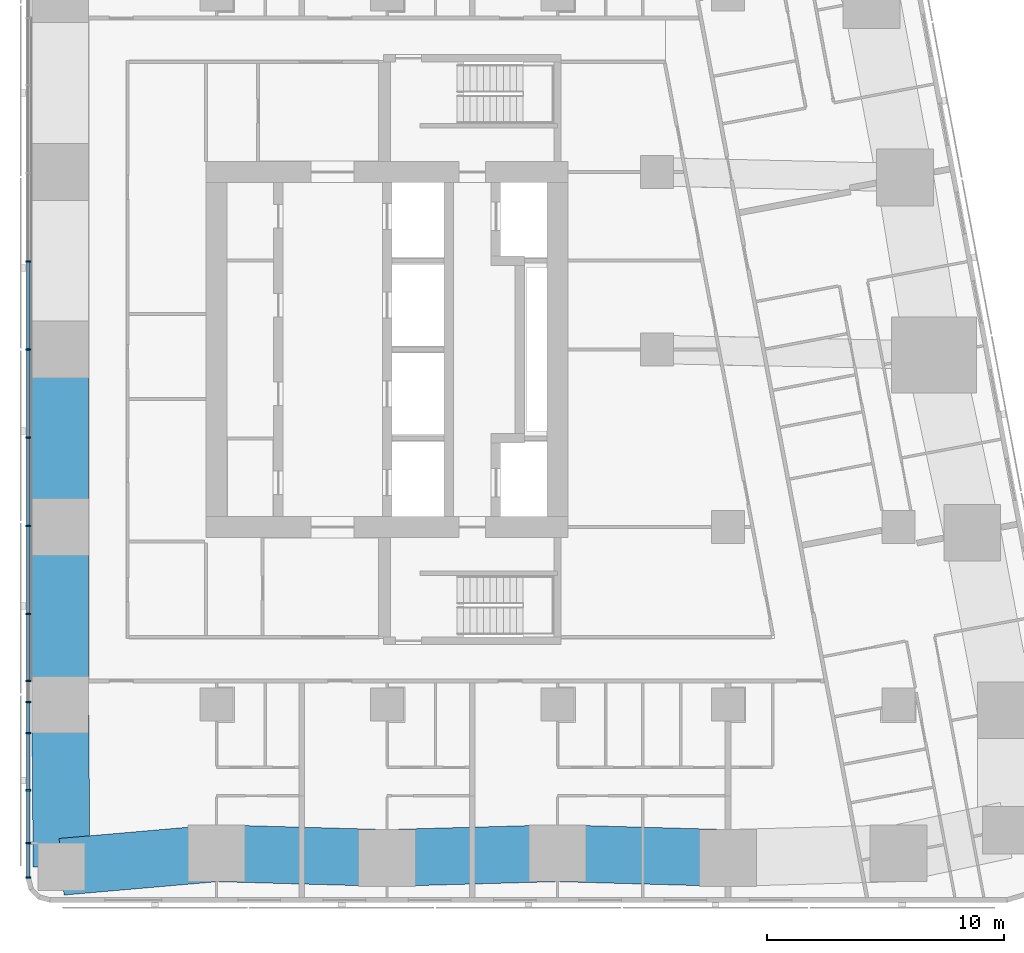
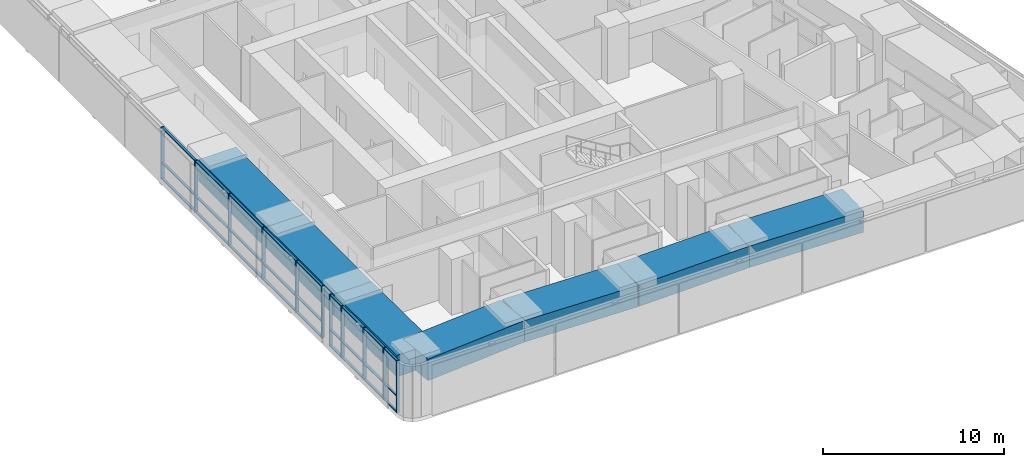
# One storey, part 2 of 17: 38 members, 7 beams, 1 element without a shape of its own.
"""IFC4 building model written with IfcOpenShell, lengths in metres."""

import ifcopenshell
import ifcopenshell.guid

model = None  # the IFC model being written
_history = None  # IfcOwnerHistory: only IFC2X3 demands one
_inside = {}  # id of a spatial element -> (the spatial element, [elements in it])
_under = {}  # id of a project, library or spatial element -> (it, [spatial elements below it])
_declared = {}  # id of a project -> (the project, [libraries it declares])
_typed = {}  # id of a type object -> (the type object, [elements of that type])
_made_of = {}  # id of a material, layer set ... -> (it, [elements and type objects made of it])


def new_model(schema):
    """Start an empty IFC model of exactly this schema.

    Asked for "IFC4X3", IfcOpenShell would pick the latest addendum, in which some entities
    have other attributes; the version numbers below select the first issue.
    IFC2X3 requires an IfcOwnerHistory on every rooted entity: one is made here for all.
    """
    global model, _history
    if schema == "IFC4X3":
        model = ifcopenshell.file(schema_version=(4, 3, 0, 0))
    else:
        model = ifcopenshell.file(schema=schema)
    _inside.clear()
    _under.clear()
    _declared.clear()
    _typed.clear()
    _made_of.clear()
    _history = None
    if model.schema == "IFC2X3":
        org = make("IfcOrganization", Name="unknown")
        user = make(
            "IfcPersonAndOrganization",
            ThePerson=make("IfcPerson", FamilyName="unknown"),
            TheOrganization=org,
        )
        app = make(
            "IfcApplication",
            ApplicationDeveloper=org,
            Version="unknown",
            ApplicationFullName="unknown",
            ApplicationIdentifier="unknown",
        )
        _history = make(
            "IfcOwnerHistory",
            OwningUser=user,
            OwningApplication=app,
            ChangeAction="ADDED",
            CreationDate=0,
        )
    return model


def make(cls, **values):
    """One entity of the class cls with the attributes given. An attribute that is None is left unset."""
    return model.create_entity(
        cls, **{name: value for name, value in values.items() if value is not None}
    )


def rooted(cls, **values):
    """An entity with a GlobalId (a new one), such as an element, a storey or a relation."""
    return make(cls, GlobalId=ifcopenshell.guid.new(), OwnerHistory=_history, **values)


def si_unit(unit_type, name, prefix=None):
    """IfcSIUnit, for example si_unit("LENGTHUNIT", "METRE", prefix="MILLI")."""
    return make("IfcSIUnit", UnitType=unit_type, Prefix=prefix, Name=name)


def assignment(units):
    """IfcUnitAssignment: the units of a project."""
    return None if units is None else make("IfcUnitAssignment", Units=units)


def point(xyz):
    """IfcCartesianPoint."""
    return None if xyz is None else make("IfcCartesianPoint", Coordinates=xyz)


def direction(xyz):
    """IfcDirection."""
    return None if xyz is None else make("IfcDirection", DirectionRatios=xyz)


def frame(location, z_axis=None, x_axis=None):
    """IfcAxis2Placement3D, a coordinate frame: its origin and axes. An axis left out is left unset."""
    return make(
        "IfcAxis2Placement3D",
        Location=point(location),
        Axis=direction(z_axis),
        RefDirection=direction(x_axis),
    )


def frame_2d(location, x_axis=None):
    """IfcAxis2Placement2D, a coordinate frame in the plane: its origin and x axis."""
    return make(
        "IfcAxis2Placement2D", Location=point(location), RefDirection=direction(x_axis)
    )


def origin():
    """The frame at (0, 0, 0) with its axes left unset."""
    return frame((0.0, 0.0, 0.0))


def origin_2d():
    """The frame at (0, 0) in the plane with its x axis left unset."""
    return frame_2d((0.0, 0.0))


def place(relative_to, where):
    """IfcLocalPlacement: puts the frame where relative to a parent placement (None: the world)."""
    return make(
        "IfcLocalPlacement", PlacementRelTo=relative_to, RelativePlacement=where
    )


def context(
    kind, dimensions, precision=None, world=None, true_north=None, identifier=None
):
    """IfcGeometricRepresentationContext, for example the 3D "Model" context."""
    return make(
        "IfcGeometricRepresentationContext",
        ContextIdentifier=identifier,
        ContextType=kind,
        CoordinateSpaceDimension=dimensions,
        Precision=precision,
        WorldCoordinateSystem=world,
        TrueNorth=true_north,
    )


def subcontext(parent, identifier, kind, view, scale=None):
    """IfcGeometricRepresentationSubContext, for example "Body" below "Model"."""
    return make(
        "IfcGeometricRepresentationSubContext",
        ContextIdentifier=identifier,
        ContextType=kind,
        ParentContext=parent,
        TargetScale=scale,
        TargetView=view,
    )


def project(units=None, contexts=None):
    """IfcProject with its units and contexts."""
    return rooted(
        "IfcProject",
        Name="project",
        RepresentationContexts=contexts,
        UnitsInContext=assignment(units),
    )


def spatial(cls, under=None, at=None, **own):
    """A site, building, storey or space (cls), placed at a placement, below another one or the project."""
    s = rooted(cls, ObjectPlacement=at, **own)
    if under is not None:
        _under.setdefault(under.id(), (under, []))[1].append(s)
    return s


def profile(cls, at=None, kind="AREA", **sizes):
    """A parametric profile (cls). Its sizes go by their IFC names, for example OverallWidth=200.0."""
    return make(cls, ProfileType=kind, Position=at, **sizes)


def rectangle(**sizes):
    """IfcRectangleProfileDef."""
    return profile("IfcRectangleProfileDef", **sizes)


def extrude(swept, where, along, depth):
    """IfcExtrudedAreaSolid: the profile swept, set in the frame where, extruded along a direction by depth."""
    return make(
        "IfcExtrudedAreaSolid",
        SweptArea=swept,
        Position=where,
        ExtrudedDirection=direction(along),
        Depth=depth,
    )


def shape(context_of_items, identifier, shape_type, items):
    """IfcShapeRepresentation: the items that make up one representation, for example the "Body"."""
    return make(
        "IfcShapeRepresentation",
        ContextOfItems=context_of_items,
        RepresentationIdentifier=identifier,
        RepresentationType=shape_type,
        Items=items,
    )


def material(Name=None, Category=None):
    """IfcMaterial."""
    return make("IfcMaterial", Name=Name, Category=Category)


def material_profile(
    of_material, cross_section, Name=None, Category=None, Priority=None
):
    """IfcMaterialProfile: a cross section and its material."""
    return make(
        "IfcMaterialProfile",
        Name=Name,
        Material=of_material,
        Profile=cross_section,
        Priority=Priority,
        Category=Category,
    )


def profile_set(profiles, Name=None, composite=None):
    """IfcMaterialProfileSet."""
    return make(
        "IfcMaterialProfileSet",
        Name=Name,
        MaterialProfiles=profiles,
        CompositeProfile=composite,
    )


def made_of(thing, what):
    """Note that an element or type object is made of a material, layer set ...; save() writes the relation."""
    if what is not None:
        _made_of.setdefault(what.id(), (what, []))[1].append(thing)
    return thing


def type_object(cls, material=None, **own):
    """A type object (cls), such as IfcWallType, which elements share."""
    return made_of(rooted(cls, **own), material)


def element(
    cls,
    number,
    at=None,
    inside=None,
    cuts=None,
    type_object=None,
    material=None,
    context=None,
    identifier="Body",
    shape_type=None,
    held_by="IfcProductDefinitionShape",
    body=None,
    shapes=None,
    **own,
):
    """One element of the class cls, such as IfcWall. Its Tag is "e" and its number.

    at: its placement. inside: the storey or other place that contains it. cuts: it is an
    opening in that element (IfcRelVoidsElement). A single representation is given by context,
    identifier, shape_type and body (its items); several are given by shapes. held_by: the class
    of the entity that holds the representations. save() writes the other relations.
    """
    e = rooted(cls, Tag="e%d" % number, ObjectPlacement=at, **own)
    if body is not None:
        shapes = [shape(context, identifier, shape_type, body)]
    if shapes is not None:
        e.Representation = make(held_by, Representations=shapes)
    if inside is not None:
        _inside.setdefault(inside.id(), (inside, []))[1].append(e)
    if cuts is not None:
        rooted(
            "IfcRelVoidsElement", RelatingBuildingElement=cuts, RelatedOpeningElement=e
        )
    if type_object is not None:
        _typed.setdefault(type_object.id(), (type_object, []))[1].append(e)
    return made_of(e, material)


def aggregate(whole, parts):
    """IfcRelAggregates: a whole, such as a stair, and the parts it consists of."""
    return rooted("IfcRelAggregates", RelatingObject=whole, RelatedObjects=parts)


def save(model, path):
    """Write the relations noted so far, then the file.

    IfcRelAggregates (storeys below a building ...), IfcRelContainedInSpatialStructure (elements
    in a storey), IfcRelDefinesByType, IfcRelAssociatesMaterial and IfcRelDeclares: one each for
    every whole, place, type object, material and project.
    """
    for whole, parts in _under.values():
        aggregate(whole, parts)
    for where, things in _inside.values():
        rooted(
            "IfcRelContainedInSpatialStructure",
            RelatedElements=things,
            RelatingStructure=where,
        )
    for kind, things in _typed.values():
        rooted("IfcRelDefinesByType", RelatedObjects=things, RelatingType=kind)
    for what, things in _made_of.values():
        rooted("IfcRelAssociatesMaterial", RelatedObjects=things, RelatingMaterial=what)
    for by, libraries in _declared.values():
        rooted("IfcRelDeclares", RelatingContext=by, RelatedDefinitions=libraries)
    model.write(path)


model = new_model("IFC4")

# Units and contexts
model_context = context("Model", 3, precision=1e-05, world=origin(), true_north=direction((0.0, 1.0)))
body_context = subcontext(model_context, "Body", "Model", "MODEL_VIEW")
ifc_project = project(units=[si_unit("LENGTHUNIT", "METRE"), si_unit("AREAUNIT", "SQUARE_METRE"), si_unit("VOLUMEUNIT", "CUBIC_METRE"), si_unit("PLANEANGLEUNIT", "RADIAN"), si_unit("MASSUNIT", "GRAM", prefix="KILO")], contexts=[model_context])

# Site, building, storey
site_placement = place(None, origin())
site = spatial("IfcSite", under=ifc_project, at=site_placement, CompositionType="ELEMENT")
building_placement = place(site_placement, origin())
building = spatial("IfcBuilding", under=site, at=building_placement, Name="Sheger Commons Tower", CompositionType="ELEMENT")
storey_placement = place(building_placement, frame((0.0, 0.0, 204.949951171875)))
storey = spatial("IfcBuildingStorey", under=building, at=storey_placement, Name="L52", CompositionType="ELEMENT", Elevation=204.949951171875)

# Curtain wall, members
ifc_material_1 = material(Name="Black aluminium curtain wall, dark tinted glazing", Category="aluminium")
curtain_wall_type = type_object("IfcCurtainWallType", Name="CURTAIN WALL CW4 GALLERY", PredefinedType="USERDEFINED", material=ifc_material_1)
curtain_wall_placement = place(storey_placement, origin())
curtain_wall = element("IfcCurtainWall", 1, at=curtain_wall_placement, inside=storey, type_object=curtain_wall_type, Name="Curtain Wall Cw4 Gallery W1 L52", ObjectType="UNITISED CURTAIN WALL", PredefinedType="USERDEFINED")
ifc_material_2 = material(Name="Black anodised aluminium", Category="aluminium")
ifc_material_profile_1 = material_profile(ifc_material_2, rectangle(XDim=0.199951171875, YDim=0.06494140625, at=origin_2d()), Name="AL 65x200")
ifc_profile_set_1 = profile_set([ifc_material_profile_1], Name="Black anodised aluminium")
member_type_1 = type_object("IfcMemberType", Name="MULLION AL 65x200", PredefinedType="MULLION", material=ifc_profile_set_1)
member_1_placement = place(storey_placement, frame((6.449951171875, 26.222900390625, 0.0), z_axis=(0.0, 0.0, 1.0), x_axis=(1.0, 0.0, 0.0)))
member_1 = element("IfcMember", 2, at=member_1_placement, type_object=member_type_1, Name="CW4 mullion 9", PredefinedType="MULLION", context=body_context, shape_type="SweptSolid", body=[
    extrude(rectangle(XDim=0.199951171875, YDim=0.06494140625, at=origin_2d()), origin(), (0.0, 0.0, 1.0), 3.5),
])
member_2_placement = place(storey_placement, frame((6.449951171875, 22.5, 0.0), z_axis=(0.0, 0.0, 1.0), x_axis=(1.0, 0.0, 0.0)))
member_2 = element("IfcMember", 3, at=member_2_placement, type_object=member_type_1, Name="CW4 mullion 10", PredefinedType="MULLION", context=body_context, shape_type="SweptSolid", body=[
    extrude(rectangle(XDim=0.199951171875, YDim=0.06494140625, at=origin_2d()), origin(), (0.0, 0.0, 1.0), 3.5),
])
member_3_placement = place(storey_placement, frame((6.449951171875, 18.777099609375, 0.0), z_axis=(0.0, 0.0, 1.0), x_axis=(1.0, 0.0, 0.0)))
member_3 = element("IfcMember", 4, at=member_3_placement, type_object=member_type_1, Name="CW4 mullion 11", PredefinedType="MULLION", context=body_context, shape_type="SweptSolid", body=[
    extrude(rectangle(XDim=0.199951171875, YDim=0.06494140625, at=origin_2d()), origin(), (0.0, 0.0, 1.0), 3.5),
])
member_4_placement = place(storey_placement, frame((6.449951171875, 15.053955078125, 0.0), z_axis=(0.0, 0.0, 1.0), x_axis=(1.0, 0.0, 0.0)))
member_4 = element("IfcMember", 5, at=member_4_placement, type_object=member_type_1, Name="CW4 mullion 12", PredefinedType="MULLION", context=body_context, shape_type="SweptSolid", body=[
    extrude(rectangle(XDim=0.199951171875, YDim=0.06494140625, at=origin_2d()), origin(), (0.0, 0.0, 1.0), 3.5),
])
member_5_placement = place(storey_placement, frame((6.449951171875, 11.3310546875, 0.0), z_axis=(0.0, 0.0, 1.0), x_axis=(1.0, 0.0, 0.0)))
member_5 = element("IfcMember", 6, at=member_5_placement, type_object=member_type_1, Name="CW4 mullion 13", PredefinedType="MULLION", context=body_context, shape_type="SweptSolid", body=[
    extrude(rectangle(XDim=0.199951171875, YDim=0.06494140625, at=origin_2d()), origin(), (0.0, 0.0, 1.0), 3.5),
])
member_6_placement = place(storey_placement, frame((6.449951171875, 8.5, 0.0), z_axis=(0.0, 0.0, 1.0), x_axis=(1.0, 0.0, 0.0)))
member_6 = element("IfcMember", 7, at=member_6_placement, type_object=member_type_1, Name="CW4 mullion 14", PredefinedType="MULLION", context=body_context, shape_type="SweptSolid", body=[
    extrude(rectangle(XDim=0.199951171875, YDim=0.06494140625, at=origin_2d()), origin(), (0.0, 0.0, 1.0), 3.5),
])
member_7_placement = place(storey_placement, frame((6.449951171875, 7.60888671875, 0.0), z_axis=(0.0, 0.0, 1.0), x_axis=(1.0, 0.0, 0.0)))
member_7 = element("IfcMember", 8, at=member_7_placement, type_object=member_type_1, Name="CW4 mullion 15", PredefinedType="MULLION", context=body_context, shape_type="SweptSolid", body=[
    extrude(rectangle(XDim=0.199951171875, YDim=0.06494140625, at=origin_2d()), origin(), (0.0, 0.0, 1.0), 3.5),
])
member_8_placement = place(storey_placement, frame((6.449951171875, 6.300048828125, 0.0), z_axis=(0.0, 0.0, 1.0), x_axis=(1.0, 0.0, 0.0)))
member_8 = element("IfcMember", 9, at=member_8_placement, type_object=member_type_1, Name="CW4 mullion 16", PredefinedType="MULLION", context=body_context, shape_type="SweptSolid", body=[
    extrude(rectangle(XDim=0.199951171875, YDim=0.06494140625, at=origin_2d()), origin(), (0.0, 0.0, 1.0), 3.5),
])
member_9_placement = place(storey_placement, frame((6.449951171875, 3.885986328125, 0.0), z_axis=(0.0, 0.0, 1.0), x_axis=(1.0, 0.0, 0.0)))
member_9 = element("IfcMember", 10, at=member_9_placement, type_object=member_type_1, Name="CW4 mullion 17", PredefinedType="MULLION", context=body_context, shape_type="SweptSolid", body=[
    extrude(rectangle(XDim=0.199951171875, YDim=0.06494140625, at=origin_2d()), origin(), (0.0, 0.0, 1.0), 3.5),
])
member_10_placement = place(storey_placement, frame((6.449951171875, 1.654052734375, 0.0), z_axis=(0.0, 0.0, 1.0), x_axis=(1.0, 0.0, 0.0)))
member_10 = element("IfcMember", 11, at=member_10_placement, type_object=member_type_1, Name="CW4 mullion 18", PredefinedType="MULLION", context=body_context, shape_type="SweptSolid", body=[
    extrude(rectangle(XDim=0.199951171875, YDim=0.06494140625, at=origin_2d()), origin(), (0.0, 0.0, 1.0), 3.5),
])
member_11_placement = place(storey_placement, frame((6.449951171875, 0.195556640625, 0.0), z_axis=(0.0, 0.0, 1.0), x_axis=(1.0, 0.0, 0.0)))
member_11 = element("IfcMember", 12, at=member_11_placement, type_object=member_type_1, Name="CW4 mullion 19", PredefinedType="MULLION", context=body_context, shape_type="SweptSolid", body=[
    extrude(rectangle(XDim=0.199951171875, YDim=0.06494140625, at=origin_2d()), origin(), (0.0, 0.0, 1.0), 3.5),
])

# Beams
ifc_material_3 = material(Name="Concrete C50/60", Category="concrete")
ifc_material_profile_2 = material_profile(ifc_material_3, rectangle(XDim=2.39990234375, YDim=1.449951171875, at=origin_2d()), Name="RC 2400x1450")
ifc_profile_set_2 = profile_set([ifc_material_profile_2], Name="Concrete C50/60")
beam_type = type_object("IfcBeamType", Name="SPANDREL RC 2400x1450", PredefinedType="SPANDREL", material=ifc_profile_set_2)
beam_1_placement = place(storey_placement, frame((7.85400390625, 0.654052734375, 2.775146484375), z_axis=(0.996216429799, 0.086906990501, 0.0), x_axis=(-0.086906990501, 0.996216429799, 0.0)))
element("IfcBeam", 13, at=beam_1_placement, inside=storey, type_object=beam_type, Name="Beam 2/A-3/A under L53", PredefinedType="SPANDREL", context=body_context, shape_type="SweptSolid", body=[
    extrude(rectangle(XDim=2.39990234375, YDim=1.449951171875, at=origin_2d()), origin(), (0.0, 0.0, 1.0), 6.57080078125),
])
beam_2_placement = place(storey_placement, frame((14.39990234375, 1.22509765625, 2.775146484375), z_axis=(0.999613688584, -0.027793409217, 0.0), x_axis=(0.027793409217, 0.999613688584, 0.0)))
element("IfcBeam", 14, at=beam_2_placement, inside=storey, type_object=beam_type, Name="Beam 3/A-4/A under L53", PredefinedType="SPANDREL", context=body_context, shape_type="SweptSolid", body=[
    extrude(rectangle(XDim=2.39990234375, YDim=1.449951171875, at=origin_2d()), origin(), (0.0, 0.0, 1.0), 7.202880859375),
])
for number, where, z_axis, x_axis, name in (
    (15, (21.60009765625, 1.02490234375, 2.775146484375), (0.9996136624, 0.027794350926, 0.0), (-0.027794350926, 0.9996136624, 0.0), "Beam 4/A-5/A under L53"),
    (16, (28.800048828125, 1.22509765625, 2.775146484375), (0.9996136624, -0.027794350926, 0.0), (0.027794350926, 0.9996136624, 0.0), "Beam 5/A-6/A under L53"),
):
    element("IfcBeam", number, at=place(storey_placement, frame(where, z_axis=z_axis, x_axis=x_axis)), inside=storey, type_object=beam_type, Name=name, PredefinedType="SPANDREL", context=body_context, shape_type="SweptSolid", body=[
        extrude(rectangle(XDim=2.39990234375, YDim=1.449951171875, at=origin_2d()), origin(), (0.0, 0.0, 1.0), 7.20263671875),
    ])
for number, where, z_axis, x_axis, name in (
    (17, (7.800048828125, 22.5, 2.775146484375), (0.0, -1.0, 0.0), (1.0, 0.0, 0.0), "Beam 2/D-2/C under L53"),
    (18, (7.800048828125, 15.0, 2.775146484375), (0.0, -1.0, 0.0), (1.0, 0.0, 0.0), "Beam 2/C-2/B under L53"),
):
    element("IfcBeam", number, at=place(storey_placement, frame(where, z_axis=z_axis, x_axis=x_axis)), inside=storey, type_object=beam_type, Name=name, PredefinedType="SPANDREL", context=body_context, shape_type="SweptSolid", body=[
        extrude(rectangle(XDim=2.39990234375, YDim=1.449951171875, at=origin_2d()), origin(), (0.0, 0.0, 1.0), 7.5),
    ])
beam_3_placement = place(storey_placement, frame((7.800048828125, 7.5, 2.775146484375), z_axis=(0.00788107188, -0.999968943871, 0.0), x_axis=(0.999968943871, 0.00788107188, 0.0)))
element("IfcBeam", 19, at=beam_3_placement, inside=storey, type_object=beam_type, Name="Beam 2/B-2/A under L53", PredefinedType="SPANDREL", context=body_context, shape_type="SweptSolid", body=[
    extrude(rectangle(XDim=2.39990234375, YDim=1.449951171875, at=origin_2d()), origin(), (0.0, 0.0, 1.0), 6.84619140625),
])

# Member
ifc_material_4 = material(Name="Black anodised aluminium", Category="aluminium")
ifc_material_profile_3 = material_profile(ifc_material_4, rectangle(XDim=0.14990234375, YDim=0.06494140625, at=origin_2d()), Name="AL 65x150")
ifc_profile_set_3 = profile_set([ifc_material_profile_3], Name="Black anodised aluminium")
member_type_2 = type_object("IfcMemberType", Name="TRANSOM AL 65x150", PredefinedType="USERDEFINED", material=ifc_profile_set_3)
member_12_placement = place(storey_placement, frame((6.449951171875, 26.1904296875, 0.032470703125), z_axis=(0.0, -1.0, 0.0), x_axis=(1.0, 0.0, 0.0)))
member_12 = element("IfcMember", 20, at=member_12_placement, type_object=member_type_2, Name="CW4 transom 9.1", ObjectType="TRANSOM", PredefinedType="USERDEFINED", context=body_context, shape_type="SweptSolid", body=[
    extrude(rectangle(XDim=0.14990234375, YDim=0.06494140625, at=origin_2d()), origin(), (0.0, 0.0, 1.0), 3.657958984375),
])

member_13_placement = place(storey_placement, frame((6.449951171875, 26.1904296875, 1.10009765625), z_axis=(0.0, -1.0, 0.0), x_axis=(1.0, 0.0, 0.0)))
member_13 = element("IfcMember", 21, at=member_13_placement, type_object=member_type_2, Name="CW4 transom 9.2", ObjectType="TRANSOM", PredefinedType="USERDEFINED", context=body_context, shape_type="SweptSolid", body=[
    extrude(rectangle(XDim=0.14990234375, YDim=0.06494140625, at=origin_2d()), origin(), (0.0, 0.0, 1.0), 3.657958984375),
])

member_14_placement = place(storey_placement, frame((6.449951171875, 26.1904296875, 3.467529296875), z_axis=(0.0, -1.0, 0.0), x_axis=(1.0, 0.0, 0.0)))
member_14 = element("IfcMember", 22, at=member_14_placement, type_object=member_type_2, Name="CW4 transom 9.3", ObjectType="TRANSOM", PredefinedType="USERDEFINED", context=body_context, shape_type="SweptSolid", body=[
    extrude(rectangle(XDim=0.14990234375, YDim=0.06494140625, at=origin_2d()), origin(), (0.0, 0.0, 1.0), 3.657958984375),
])

member_15_placement = place(storey_placement, frame((6.449951171875, 22.467529296875, 0.032470703125), z_axis=(0.0, -1.0, 0.0), x_axis=(1.0, 0.0, 0.0)))
member_15 = element("IfcMember", 23, at=member_15_placement, type_object=member_type_2, Name="CW4 transom 10.1", ObjectType="TRANSOM", PredefinedType="USERDEFINED", context=body_context, shape_type="SweptSolid", body=[
    extrude(rectangle(XDim=0.14990234375, YDim=0.06494140625, at=origin_2d()), origin(), (0.0, 0.0, 1.0), 3.657958984375),
])

member_16_placement = place(storey_placement, frame((6.449951171875, 22.467529296875, 1.10009765625), z_axis=(0.0, -1.0, 0.0), x_axis=(1.0, 0.0, 0.0)))
member_16 = element("IfcMember", 24, at=member_16_placement, type_object=member_type_2, Name="CW4 transom 10.2", ObjectType="TRANSOM", PredefinedType="USERDEFINED", context=body_context, shape_type="SweptSolid", body=[
    extrude(rectangle(XDim=0.14990234375, YDim=0.06494140625, at=origin_2d()), origin(), (0.0, 0.0, 1.0), 3.657958984375),
])

member_17_placement = place(storey_placement, frame((6.449951171875, 22.467529296875, 3.467529296875), z_axis=(0.0, -1.0, 0.0), x_axis=(1.0, 0.0, 0.0)))
member_17 = element("IfcMember", 25, at=member_17_placement, type_object=member_type_2, Name="CW4 transom 10.3", ObjectType="TRANSOM", PredefinedType="USERDEFINED", context=body_context, shape_type="SweptSolid", body=[
    extrude(rectangle(XDim=0.14990234375, YDim=0.06494140625, at=origin_2d()), origin(), (0.0, 0.0, 1.0), 3.657958984375),
])

member_18_placement = place(storey_placement, frame((6.449951171875, 18.744384765625, 0.032470703125), z_axis=(0.0, -1.0, 0.0), x_axis=(1.0, 0.0, 0.0)))
member_18 = element("IfcMember", 26, at=member_18_placement, type_object=member_type_2, Name="CW4 transom 11.1", ObjectType="TRANSOM", PredefinedType="USERDEFINED", context=body_context, shape_type="SweptSolid", body=[
    extrude(rectangle(XDim=0.14990234375, YDim=0.06494140625, at=origin_2d()), origin(), (0.0, 0.0, 1.0), 3.657958984375),
])

member_19_placement = place(storey_placement, frame((6.449951171875, 18.744384765625, 1.10009765625), z_axis=(0.0, -1.0, 0.0), x_axis=(1.0, 0.0, 0.0)))
member_19 = element("IfcMember", 27, at=member_19_placement, type_object=member_type_2, Name="CW4 transom 11.2", ObjectType="TRANSOM", PredefinedType="USERDEFINED", context=body_context, shape_type="SweptSolid", body=[
    extrude(rectangle(XDim=0.14990234375, YDim=0.06494140625, at=origin_2d()), origin(), (0.0, 0.0, 1.0), 3.657958984375),
])

member_20_placement = place(storey_placement, frame((6.449951171875, 18.744384765625, 3.467529296875), z_axis=(0.0, -1.0, 0.0), x_axis=(1.0, 0.0, 0.0)))
member_20 = element("IfcMember", 28, at=member_20_placement, type_object=member_type_2, Name="CW4 transom 11.3", ObjectType="TRANSOM", PredefinedType="USERDEFINED", context=body_context, shape_type="SweptSolid", body=[
    extrude(rectangle(XDim=0.14990234375, YDim=0.06494140625, at=origin_2d()), origin(), (0.0, 0.0, 1.0), 3.657958984375),
])

member_21_placement = place(storey_placement, frame((6.449951171875, 15.021484375, 0.032470703125), z_axis=(0.0, -1.0, 0.0), x_axis=(1.0, 0.0, 0.0)))
member_21 = element("IfcMember", 29, at=member_21_placement, type_object=member_type_2, Name="CW4 transom 12.1", ObjectType="TRANSOM", PredefinedType="USERDEFINED", context=body_context, shape_type="SweptSolid", body=[
    extrude(rectangle(XDim=0.14990234375, YDim=0.06494140625, at=origin_2d()), origin(), (0.0, 0.0, 1.0), 3.657958984375),
])

member_22_placement = place(storey_placement, frame((6.449951171875, 15.021484375, 1.10009765625), z_axis=(0.0, -1.0, 0.0), x_axis=(1.0, 0.0, 0.0)))
member_22 = element("IfcMember", 30, at=member_22_placement, type_object=member_type_2, Name="CW4 transom 12.2", ObjectType="TRANSOM", PredefinedType="USERDEFINED", context=body_context, shape_type="SweptSolid", body=[
    extrude(rectangle(XDim=0.14990234375, YDim=0.06494140625, at=origin_2d()), origin(), (0.0, 0.0, 1.0), 3.657958984375),
])

member_23_placement = place(storey_placement, frame((6.449951171875, 15.021484375, 3.467529296875), z_axis=(0.0, -1.0, 0.0), x_axis=(1.0, 0.0, 0.0)))
member_23 = element("IfcMember", 31, at=member_23_placement, type_object=member_type_2, Name="CW4 transom 12.3", ObjectType="TRANSOM", PredefinedType="USERDEFINED", context=body_context, shape_type="SweptSolid", body=[
    extrude(rectangle(XDim=0.14990234375, YDim=0.06494140625, at=origin_2d()), origin(), (0.0, 0.0, 1.0), 3.657958984375),
])

member_24_placement = place(storey_placement, frame((6.449951171875, 11.298583984375, 0.032470703125), z_axis=(0.0, -1.0, 0.0), x_axis=(1.0, 0.0, 0.0)))
member_24 = element("IfcMember", 32, at=member_24_placement, type_object=member_type_2, Name="CW4 transom 13.1", ObjectType="TRANSOM", PredefinedType="USERDEFINED", context=body_context, shape_type="SweptSolid", body=[
    extrude(rectangle(XDim=0.14990234375, YDim=0.06494140625, at=origin_2d()), origin(), (0.0, 0.0, 1.0), 2.76611328125),
])

member_25_placement = place(storey_placement, frame((6.449951171875, 11.298583984375, 1.10009765625), z_axis=(0.0, -1.0, 0.0), x_axis=(1.0, 0.0, 0.0)))
member_25 = element("IfcMember", 33, at=member_25_placement, type_object=member_type_2, Name="CW4 transom 13.2", ObjectType="TRANSOM", PredefinedType="USERDEFINED", context=body_context, shape_type="SweptSolid", body=[
    extrude(rectangle(XDim=0.14990234375, YDim=0.06494140625, at=origin_2d()), origin(), (0.0, 0.0, 1.0), 2.76611328125),
])

member_26_placement = place(storey_placement, frame((6.449951171875, 11.298583984375, 3.467529296875), z_axis=(0.0, -1.0, 0.0), x_axis=(1.0, 0.0, 0.0)))
member_26 = element("IfcMember", 34, at=member_26_placement, type_object=member_type_2, Name="CW4 transom 13.3", ObjectType="TRANSOM", PredefinedType="USERDEFINED", context=body_context, shape_type="SweptSolid", body=[
    extrude(rectangle(XDim=0.14990234375, YDim=0.06494140625, at=origin_2d()), origin(), (0.0, 0.0, 1.0), 2.76611328125),
])

member_27_placement = place(storey_placement, frame((6.449951171875, 7.576416015625, 0.032470703125), z_axis=(0.0, -1.0, 0.0), x_axis=(1.0, 0.0, 0.0)))
member_27 = element("IfcMember", 35, at=member_27_placement, type_object=member_type_2, Name="CW4 transom 15.1", ObjectType="TRANSOM", PredefinedType="USERDEFINED", context=body_context, shape_type="SweptSolid", body=[
    extrude(rectangle(XDim=0.14990234375, YDim=0.06494140625, at=origin_2d()), origin(), (0.0, 0.0, 1.0), 1.243896484375),
])

member_28_placement = place(storey_placement, frame((6.449951171875, 7.576416015625, 1.10009765625), z_axis=(0.0, -1.0, 0.0), x_axis=(1.0, 0.0, 0.0)))
member_28 = element("IfcMember", 36, at=member_28_placement, type_object=member_type_2, Name="CW4 transom 15.2", ObjectType="TRANSOM", PredefinedType="USERDEFINED", context=body_context, shape_type="SweptSolid", body=[
    extrude(rectangle(XDim=0.14990234375, YDim=0.06494140625, at=origin_2d()), origin(), (0.0, 0.0, 1.0), 1.243896484375),
])

member_29_placement = place(storey_placement, frame((6.449951171875, 7.576416015625, 3.467529296875), z_axis=(0.0, -1.0, 0.0), x_axis=(1.0, 0.0, 0.0)))
member_29 = element("IfcMember", 37, at=member_29_placement, type_object=member_type_2, Name="CW4 transom 15.3", ObjectType="TRANSOM", PredefinedType="USERDEFINED", context=body_context, shape_type="SweptSolid", body=[
    extrude(rectangle(XDim=0.14990234375, YDim=0.06494140625, at=origin_2d()), origin(), (0.0, 0.0, 1.0), 1.243896484375),
])

member_30_placement = place(storey_placement, frame((6.449951171875, 6.267578125, 0.032470703125), z_axis=(0.0, -1.0, 0.0), x_axis=(1.0, 0.0, 0.0)))
member_30 = element("IfcMember", 38, at=member_30_placement, type_object=member_type_2, Name="CW4 transom 16.1", ObjectType="TRANSOM", PredefinedType="USERDEFINED", context=body_context, shape_type="SweptSolid", body=[
    extrude(rectangle(XDim=0.14990234375, YDim=0.06494140625, at=origin_2d()), origin(), (0.0, 0.0, 1.0), 2.34912109375),
])

member_31_placement = place(storey_placement, frame((6.449951171875, 6.267578125, 1.10009765625), z_axis=(0.0, -1.0, 0.0), x_axis=(1.0, 0.0, 0.0)))
member_31 = element("IfcMember", 39, at=member_31_placement, type_object=member_type_2, Name="CW4 transom 16.2", ObjectType="TRANSOM", PredefinedType="USERDEFINED", context=body_context, shape_type="SweptSolid", body=[
    extrude(rectangle(XDim=0.14990234375, YDim=0.06494140625, at=origin_2d()), origin(), (0.0, 0.0, 1.0), 2.34912109375),
])

member_32_placement = place(storey_placement, frame((6.449951171875, 6.267578125, 3.467529296875), z_axis=(0.0, -1.0, 0.0), x_axis=(1.0, 0.0, 0.0)))
member_32 = element("IfcMember", 40, at=member_32_placement, type_object=member_type_2, Name="CW4 transom 16.3", ObjectType="TRANSOM", PredefinedType="USERDEFINED", context=body_context, shape_type="SweptSolid", body=[
    extrude(rectangle(XDim=0.14990234375, YDim=0.06494140625, at=origin_2d()), origin(), (0.0, 0.0, 1.0), 2.34912109375),
])

member_33_placement = place(storey_placement, frame((6.449951171875, 3.853515625, 0.032470703125), z_axis=(0.0, -1.0, 0.0), x_axis=(1.0, 0.0, 0.0)))
member_33 = element("IfcMember", 41, at=member_33_placement, type_object=member_type_2, Name="CW4 transom 17.1", ObjectType="TRANSOM", PredefinedType="USERDEFINED", context=body_context, shape_type="SweptSolid", body=[
    extrude(rectangle(XDim=0.14990234375, YDim=0.06494140625, at=origin_2d()), origin(), (0.0, 0.0, 1.0), 2.1669921875),
])

member_34_placement = place(storey_placement, frame((6.449951171875, 3.853515625, 1.10009765625), z_axis=(0.0, -1.0, 0.0), x_axis=(1.0, 0.0, 0.0)))
member_34 = element("IfcMember", 42, at=member_34_placement, type_object=member_type_2, Name="CW4 transom 17.2", ObjectType="TRANSOM", PredefinedType="USERDEFINED", context=body_context, shape_type="SweptSolid", body=[
    extrude(rectangle(XDim=0.14990234375, YDim=0.06494140625, at=origin_2d()), origin(), (0.0, 0.0, 1.0), 2.1669921875),
])

member_35_placement = place(storey_placement, frame((6.449951171875, 3.853515625, 3.467529296875), z_axis=(0.0, -1.0, 0.0), x_axis=(1.0, 0.0, 0.0)))
member_35 = element("IfcMember", 43, at=member_35_placement, type_object=member_type_2, Name="CW4 transom 17.3", ObjectType="TRANSOM", PredefinedType="USERDEFINED", context=body_context, shape_type="SweptSolid", body=[
    extrude(rectangle(XDim=0.14990234375, YDim=0.06494140625, at=origin_2d()), origin(), (0.0, 0.0, 1.0), 2.1669921875),
])

member_36_placement = place(storey_placement, frame((6.449951171875, 1.62158203125, 0.032470703125), z_axis=(0.0, -1.0, 0.0), x_axis=(1.0, 0.0, 0.0)))
member_36 = element("IfcMember", 44, at=member_36_placement, type_object=member_type_2, Name="CW4 transom 18.1", ObjectType="TRANSOM", PredefinedType="USERDEFINED", context=body_context, shape_type="SweptSolid", body=[
    extrude(rectangle(XDim=0.14990234375, YDim=0.06494140625, at=origin_2d()), origin(), (0.0, 0.0, 1.0), 1.3935546875),
])

member_37_placement = place(storey_placement, frame((6.449951171875, 1.62158203125, 1.10009765625), z_axis=(0.0, -1.0, 0.0), x_axis=(1.0, 0.0, 0.0)))
member_37 = element("IfcMember", 45, at=member_37_placement, type_object=member_type_2, Name="CW4 transom 18.2", ObjectType="TRANSOM", PredefinedType="USERDEFINED", context=body_context, shape_type="SweptSolid", body=[
    extrude(rectangle(XDim=0.14990234375, YDim=0.06494140625, at=origin_2d()), origin(), (0.0, 0.0, 1.0), 1.3935546875),
])

member_38_placement = place(storey_placement, frame((6.449951171875, 1.62158203125, 3.467529296875), z_axis=(0.0, -1.0, 0.0), x_axis=(1.0, 0.0, 0.0)))
member_38 = element("IfcMember", 46, at=member_38_placement, type_object=member_type_2, Name="CW4 transom 18.3", ObjectType="TRANSOM", PredefinedType="USERDEFINED", context=body_context, shape_type="SweptSolid", body=[
    extrude(rectangle(XDim=0.14990234375, YDim=0.06494140625, at=origin_2d()), origin(), (0.0, 0.0, 1.0), 1.3935546875),
])

aggregate(curtain_wall, [member_1, member_2, member_3, member_4, member_5, member_6, member_7, member_8, member_9, member_10, member_11, member_12, member_13, member_14, member_15, member_16, member_17, member_18, member_19, member_20, member_21, member_22, member_23, member_24, member_25, member_26, member_27, member_28, member_29, member_30, member_31, member_32, member_33, member_34, member_35, member_36, member_37, member_38])

save(model, "model.ifc")
